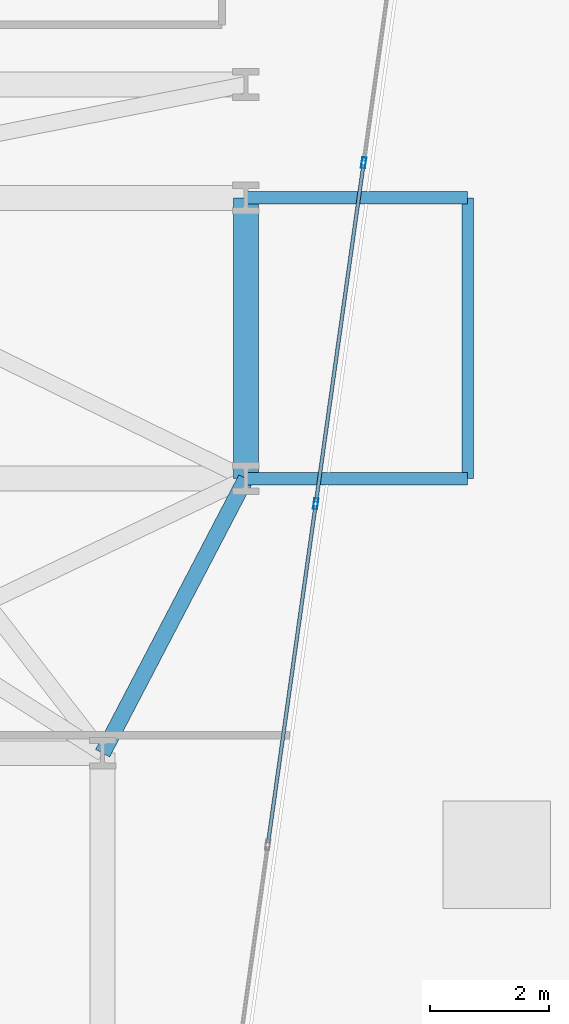
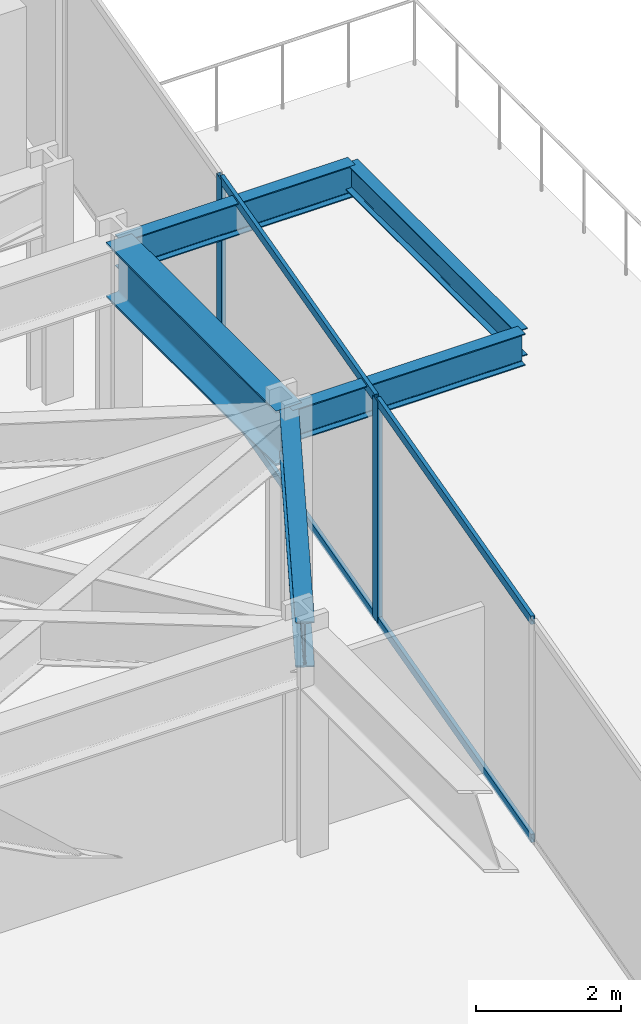
# One storey, part 15 of 25: 6 members, 5 beams, 1 element without a shape of its own.
"""IFC4 building model written with IfcOpenShell, lengths in metres."""

from ifc_helpers import new_model, si_unit, direction, frame, origin, origin_2d, place, context, subcontext, project, spatial, hollow_rectangle, i_section, extrude, material, layer, layer_set, material_profile, profile_set, type_object, element, aggregate, save


model = new_model("IFC4")

# Units and contexts
model_context = context("Model", 3, precision=1e-05, world=origin(), true_north=direction((0.0, 1.0)))
body_context = subcontext(model_context, "Body", "Model", "MODEL_VIEW")
ifc_project = project(units=[si_unit("LENGTHUNIT", "METRE"), si_unit("AREAUNIT", "SQUARE_METRE"), si_unit("VOLUMEUNIT", "CUBIC_METRE"), si_unit("PLANEANGLEUNIT", "RADIAN"), si_unit("MASSUNIT", "GRAM", prefix="KILO")], contexts=[model_context])

# Site, building, storey
site_placement = place(None, origin())
site = spatial("IfcSite", under=ifc_project, at=site_placement, CompositionType="ELEMENT")
building_placement = place(site_placement, origin())
building = spatial("IfcBuilding", under=site, at=building_placement, Name="Kravanh Interchange Tower", CompositionType="ELEMENT")
storey_placement = place(building_placement, frame((0.0, 0.0, 29.5)))
storey = spatial("IfcBuildingStorey", under=building, at=storey_placement, Name="L06", CompositionType="ELEMENT", Elevation=29.5)

# Curtain wall, members
ifc_material_1 = material(Name="Anodised Bronze Aluminium", Category="aluminium")
ifc_layer = layer(ifc_material_1, 0.179931640625)
ifc_layer_set = layer_set([ifc_layer], Name="Unitised Curtain Wall System CW-Z1 Lower Office")
curtain_wall_type = type_object("IfcCurtainWallType", Name="Unitised Curtain Wall System CW-Z1 Lower Office", PredefinedType="NOTDEFINED", material=ifc_layer_set)
curtain_wall_placement = place(storey_placement, origin())
curtain_wall = element("IfcCurtainWall", 1, at=curtain_wall_placement, inside=storey, type_object=curtain_wall_type, Name="L06 Unitised Curtain Wall CW-L06-01", PredefinedType="NOTDEFINED")
ifc_material_2 = material(Name="Anodised Bronze Aluminium", Category="aluminium")
ifc_material_profile_1 = material_profile(ifc_material_2, hollow_rectangle(XDim=0.070068359375, YDim=0.179931640625, WallThickness=0.00390625, at=origin_2d()), Name="ALU70X180X4")
ifc_profile_set_1 = profile_set([ifc_material_profile_1], Name="Anodised Bronze Aluminium")
member_type_1 = type_object("IfcMemberType", Name="Curtain Wall Mullion ALU70X180X4 Bronze", PredefinedType="MULLION", material=ifc_profile_set_1)
member_1_placement = place(storey_placement, frame((67.572509765625, 32.08935546875, 0.0), z_axis=(0.0, 0.0, 1.0), x_axis=(0.990267585682, -0.139176538065, 0.0)))
member_1 = element("IfcMember", 2, at=member_1_placement, type_object=member_type_1, Name="CW-Z1 mullion 2", PredefinedType="MULLION", context=body_context, shape_type="SweptSolid", body=[
    extrude(hollow_rectangle(XDim=0.070068359375, YDim=0.179931640625, WallThickness=0.00390625, at=origin_2d()), origin(), (0.0, 0.0, 1.0), 3.739990234375),
])
member_2_placement = place(storey_placement, frame((66.77001953125, 26.37890625, 0.0), z_axis=(0.0, 0.0, 1.0), x_axis=(0.990267585682, -0.139176538065, 0.0)))
member_2 = element("IfcMember", 3, at=member_2_placement, type_object=member_type_1, Name="CW-Z1 mullion 3", PredefinedType="MULLION", context=body_context, shape_type="SweptSolid", body=[
    extrude(hollow_rectangle(XDim=0.070068359375, YDim=0.179931640625, WallThickness=0.00390625, at=origin_2d()), origin(), (0.0, 0.0, 1.0), 3.739990234375),
])
ifc_material_3 = material(Name="Anodised Bronze Aluminium", Category="aluminium")
ifc_material_profile_2 = material_profile(ifc_material_3, hollow_rectangle(XDim=0.06005859375, YDim=0.139892578125, WallThickness=0.00390625, at=origin_2d()), Name="ALU60X140X4")
ifc_profile_set_2 = profile_set([ifc_material_profile_2], Name="Anodised Bronze Aluminium")
member_type_2 = type_object("IfcMemberType", Name="Curtain Wall Transom ALU60X140X4 Bronze", PredefinedType="USERDEFINED", material=ifc_profile_set_2)
member_3_placement = place(storey_placement, frame((67.567626953125, 32.0546875, 0.030029296875), z_axis=(-0.139158957544, -0.990270056366, 0.0), x_axis=(0.990270056366, -0.139158957544, 0.0)))
member_3 = element("IfcMember", 4, at=member_3_placement, type_object=member_type_2, Name="CW-Z1 transom 2.1", ObjectType="TRANSOM", PredefinedType="USERDEFINED", context=body_context, shape_type="SweptSolid", body=[
    extrude(hollow_rectangle(XDim=0.06005859375, YDim=0.139892578125, WallThickness=0.00390625, at=origin_2d()), origin(), (0.0, 0.0, 1.0), 5.696533203125),
])
member_4_placement = place(storey_placement, frame((67.567626953125, 32.0546875, 3.7099609375), z_axis=(-0.139158957544, -0.990270056366, 0.0), x_axis=(0.990270056366, -0.139158957544, 0.0)))
member_4 = element("IfcMember", 5, at=member_4_placement, type_object=member_type_2, Name="CW-Z1 transom 2.2", ObjectType="TRANSOM", PredefinedType="USERDEFINED", context=body_context, shape_type="SweptSolid", body=[
    extrude(hollow_rectangle(XDim=0.06005859375, YDim=0.139892578125, WallThickness=0.00390625, at=origin_2d()), origin(), (0.0, 0.0, 1.0), 5.696533203125),
])
member_5_placement = place(storey_placement, frame((66.76513671875, 26.34423828125, 0.030029296875), z_axis=(-0.139200984921, -0.990264149506, 0.0), x_axis=(0.990264149506, -0.139200984921, 0.0)))
member_5 = element("IfcMember", 6, at=member_5_placement, type_object=member_type_2, Name="CW-Z1 transom 3.1", ObjectType="TRANSOM", PredefinedType="USERDEFINED", context=body_context, shape_type="SweptSolid", body=[
    extrude(hollow_rectangle(XDim=0.06005859375, YDim=0.139892578125, WallThickness=0.00390625, at=origin_2d()), origin(), (0.0, 0.0, 1.0), 5.696533203125),
])
member_6_placement = place(storey_placement, frame((66.76513671875, 26.34423828125, 3.7099609375), z_axis=(-0.139200984921, -0.990264149506, 0.0), x_axis=(0.990264149506, -0.139200984921, 0.0)))
member_6 = element("IfcMember", 7, at=member_6_placement, type_object=member_type_2, Name="CW-Z1 transom 3.2", ObjectType="TRANSOM", PredefinedType="USERDEFINED", context=body_context, shape_type="SweptSolid", body=[
    extrude(hollow_rectangle(XDim=0.06005859375, YDim=0.139892578125, WallThickness=0.00390625, at=origin_2d()), origin(), (0.0, 0.0, 1.0), 5.696533203125),
])
aggregate(curtain_wall, [member_1, member_2, member_3, member_4, member_5, member_6])

# Beams
ifc_material_4 = material(Name="Structural Steel S355", Category="steel")
ifc_material_profile_3 = material_profile(ifc_material_4, i_section(OverallWidth=0.41796875, OverallDepth=0.927001953125, WebThickness=0.019287109375, FlangeThickness=0.031982421875, FilletRadius=0.028076171875, at=origin_2d()), Name="W36X231")
ifc_profile_set_3 = profile_set([ifc_material_profile_3], Name="Structural Steel S355")
beam_type_1 = type_object("IfcBeamType", Name="Floor Beam W36X231 Structural Steel S355", PredefinedType="BEAM", material=ifc_profile_set_3)
beam_1_placement = place(storey_placement, frame((65.60009765625, 26.800048828125, 3.276611328125), z_axis=(0.0, 1.0, 0.0), x_axis=(-1.0, 0.0, 0.0)))
element("IfcBeam", 8, at=beam_1_placement, inside=storey, type_object=beam_type_1, Name="L06 Primary Floor Girder 98", PredefinedType="BEAM", context=body_context, shape_type="SweptSolid", body=[
    extrude(i_section(OverallWidth=0.41796875, OverallDepth=0.927001953125, WebThickness=0.019287109375, FlangeThickness=0.031982421875, FilletRadius=0.028076171875, at=origin_2d()), origin(), (0.0, 0.0, 1.0), 4.699951171875),
])
ifc_material_5 = material(Name="Structural Steel S355", Category="steel")
ifc_material_profile_4 = material_profile(ifc_material_5, i_section(OverallWidth=0.18994140625, OverallDepth=0.45703125, WebThickness=0.009033203125, FlangeThickness=0.014404296875, FilletRadius=0.01806640625, at=origin_2d()), Name="W18X50")
ifc_profile_set_4 = profile_set([ifc_material_profile_4], Name="Structural Steel S355")
beam_type_2 = type_object("IfcBeamType", Name="Floor Joist W18X50 Structural Steel S355", PredefinedType="JOIST", material=ifc_profile_set_4)
beam_2_placement = place(storey_placement, frame((69.31298828125, 26.800048828125, 3.511474609375), z_axis=(0.0, 1.0, 0.0), x_axis=(-1.0, 0.0, 0.0)))
element("IfcBeam", 9, at=beam_2_placement, inside=storey, type_object=beam_type_2, Name="L06 Balcony Edge Tie Beam E", PredefinedType="JOIST", context=body_context, shape_type="SweptSolid", body=[
    extrude(i_section(OverallWidth=0.18994140625, OverallDepth=0.45703125, WebThickness=0.009033203125, FlangeThickness=0.014404296875, FilletRadius=0.01806640625, at=origin_2d()), origin(), (0.0, 0.0, 1.0), 4.699951171875),
])
ifc_material_6 = material(Name="Structural Steel S355", Category="steel")
ifc_material_profile_5 = material_profile(ifc_material_6, i_section(OverallWidth=0.2099609375, OverallDepth=0.537109375, WebThickness=0.010986328125, FlangeThickness=0.017333984375, FilletRadius=0.02001953125, at=origin_2d()), Name="W21X68")
ifc_profile_set_5 = profile_set([ifc_material_profile_5], Name="Structural Steel S355")
beam_type_3 = type_object("IfcBeamType", Name="Floor Spandrel W21X68 Structural Steel S355", PredefinedType="SPANDREL", material=ifc_profile_set_5)
for number, where, z_axis, x_axis, name in (
    (10, (65.60009765625, 26.800048828125, 3.471435546875), (1.0, 0.0, 0.0), (0.0, 1.0, 0.0), "L06 Balcony Cantilever Outrigger E1"),
    (11, (65.60009765625, 31.5, 3.471435546875), (1.0, 0.0, 0.0), (0.0, 1.0, 0.0), "L06 Balcony Cantilever Outrigger E2"),
):
    element("IfcBeam", number, at=place(storey_placement, frame(where, z_axis=z_axis, x_axis=x_axis)), inside=storey, type_object=beam_type_3, Name=name, PredefinedType="SPANDREL", context=body_context, shape_type="SweptSolid", body=[
        extrude(i_section(OverallWidth=0.2099609375, OverallDepth=0.537109375, WebThickness=0.010986328125, FlangeThickness=0.017333984375, FilletRadius=0.02001953125, at=origin_2d()), origin(), (0.0, 0.0, 1.0), 3.712890625),
    ])
ifc_material_7 = material(Name="Structural Steel S355", Category="steel")
ifc_material_profile_6 = material_profile(ifc_material_7, i_section(OverallWidth=0.26708984375, OverallDepth=0.761962890625, WebThickness=0.014404296875, FlangeThickness=0.021484375, FilletRadius=0.02490234375, at=origin_2d()), Name="W30X116")
ifc_profile_set_6 = profile_set([ifc_material_profile_6], Name="Structural Steel S355")
beam_type_4 = type_object("IfcBeamType", Name="Floor Spandrel W30X116 Structural Steel S355", PredefinedType="SPANDREL", material=ifc_profile_set_6)
beam_3_placement = place(storey_placement, frame((63.199951171875, 22.199951171875, 3.35888671875), z_axis=(0.462580479178, 0.886577295155, 0.0), x_axis=(-0.886577295155, 0.462580479178, 0.0)))
element("IfcBeam", 12, at=beam_3_placement, inside=storey, type_object=beam_type_4, Name="L06 Perimeter Spandrel 62", PredefinedType="SPANDREL", context=body_context, shape_type="SweptSolid", body=[
    extrude(i_section(OverallWidth=0.26708984375, OverallDepth=0.761962890625, WebThickness=0.014404296875, FlangeThickness=0.021484375, FilletRadius=0.02490234375, at=origin_2d()), origin(), (0.0, 0.0, 1.0), 5.188720703125),
])

save(model, "model.ifc")
